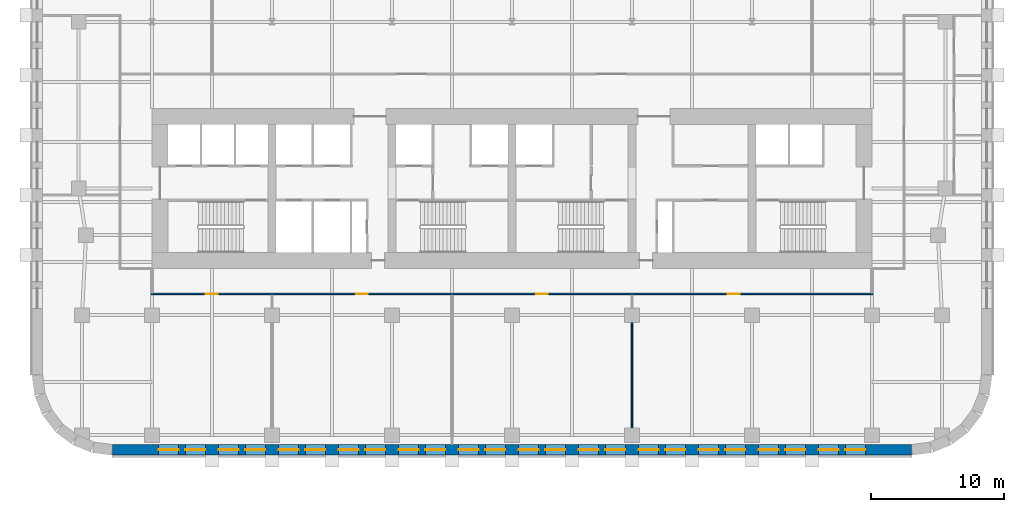
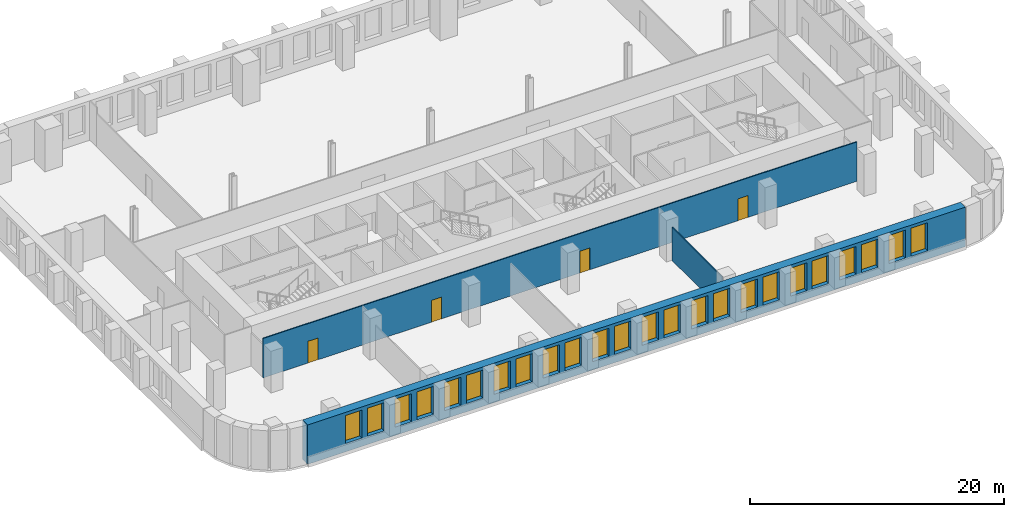
# One storey, part 5 of 11: 24 windows, 4 doors, 3 walls, 28 openings.
"""IFC4 building model written with IfcOpenShell, lengths in metres."""

from ifc_helpers import new_model, si_unit, direction, frame, frame_2d, origin, place, context, subcontext, project, spatial, rectangle, extrude, material, layer, layer_set, type_object, element, fill, save


model = new_model("IFC4")

# Units and contexts
model_context = context("Model", 3, precision=1e-05, world=origin(), true_north=direction((0.0, 1.0)))
body_context = subcontext(model_context, "Body", "Model", "MODEL_VIEW")
ifc_project = project(units=[si_unit("LENGTHUNIT", "METRE"), si_unit("AREAUNIT", "SQUARE_METRE"), si_unit("VOLUMEUNIT", "CUBIC_METRE"), si_unit("PLANEANGLEUNIT", "RADIAN"), si_unit("MASSUNIT", "GRAM", prefix="KILO")], contexts=[model_context])

# Site, building, storey
site_placement = place(None, origin())
site = spatial("IfcSite", under=ifc_project, at=site_placement, CompositionType="ELEMENT")
building_placement = place(site_placement, origin())
building = spatial("IfcBuilding", under=site, at=building_placement, Name="Zellij Exchange Tower", CompositionType="ELEMENT")
storey_placement = place(building_placement, frame((0.0, 0.0, 56.5)))
storey = spatial("IfcBuildingStorey", under=building, at=storey_placement, Name="L10", CompositionType="ELEMENT", Elevation=56.5)

# Wall, openings, windows
ifc_material_1 = material(Name="Precast concrete C40/50", Category="concrete")
ifc_layer_1 = layer(ifc_material_1, 0.800048828125)
ifc_layer_set_1 = layer_set([ifc_layer_1], Name="Precast concrete C40/50")
wall_type_1 = type_object("IfcWallType", Name="ENV-EW1 Precast stone-piered wall 800", PredefinedType="SOLIDWALL", material=ifc_layer_set_1)
wall_1_placement = place(storey_placement, frame((-29.947509765625, -27.60009765625, 0.0), z_axis=(0.0, 0.0, 1.0), x_axis=(1.0, 0.0, 0.0)))
wall_1 = element("IfcWall", 1, at=wall_1_placement, inside=storey, type_object=wall_type_1, Name="fac.L10.00", PredefinedType="SOLIDWALL", context=body_context, shape_type="SweptSolid", body=[
    extrude(rectangle(XDim=59.89501953125, YDim=0.800048828125, at=frame_2d((29.947509765625, 0.0))), origin(), (0.0, 0.0, 1.0), 3.800048828125),
])
opening_1_placement = place(wall_1_placement, frame((3.447509765625, 0.0, 0.800048828125)))
opening_1 = element("IfcOpeningElement", 2, at=opening_1_placement, cuts=wall_1, Name="Opening FZ1.01", PredefinedType="OPENING", context=body_context, shape_type="SweptSolid", body=[
    extrude(rectangle(XDim=1.5, YDim=2.699951171875, at=frame_2d((0.75, 1.35009765625))), frame((0.0, 0.412109375, 0.0), z_axis=(0.0, -1.0, 0.0), x_axis=(1.0, 0.0, 0.0)), (0.0, 0.0, 1.0), 0.823974609375),
])
opening_2_placement = place(wall_1_placement, frame((5.447509765625, 0.0, 0.800048828125)))
opening_2 = element("IfcOpeningElement", 3, at=opening_2_placement, cuts=wall_1, Name="Opening FZ1.02", PredefinedType="OPENING", context=body_context, shape_type="SweptSolid", body=[
    extrude(rectangle(XDim=1.5, YDim=2.699951171875, at=frame_2d((0.75, 1.35009765625))), frame((0.0, 0.412109375, 0.0), z_axis=(0.0, -1.0, 0.0), x_axis=(1.0, 0.0, 0.0)), (0.0, 0.0, 1.0), 0.823974609375),
])
opening_3_placement = place(wall_1_placement, frame((7.947509765625, 0.0, 0.800048828125)))
opening_3 = element("IfcOpeningElement", 4, at=opening_3_placement, cuts=wall_1, Name="Opening FZ1.03", PredefinedType="OPENING", context=body_context, shape_type="SweptSolid", body=[
    extrude(rectangle(XDim=1.5, YDim=2.699951171875, at=frame_2d((0.75, 1.35009765625))), frame((0.0, 0.412109375, 0.0), z_axis=(0.0, -1.0, 0.0), x_axis=(1.0, 0.0, 0.0)), (0.0, 0.0, 1.0), 0.823974609375),
])
opening_4_placement = place(wall_1_placement, frame((9.947509765625, 0.0, 0.800048828125)))
opening_4 = element("IfcOpeningElement", 5, at=opening_4_placement, cuts=wall_1, Name="Opening FZ1.04", PredefinedType="OPENING", context=body_context, shape_type="SweptSolid", body=[
    extrude(rectangle(XDim=1.5, YDim=2.699951171875, at=frame_2d((0.75, 1.35009765625))), frame((0.0, 0.412109375, 0.0), z_axis=(0.0, -1.0, 0.0), x_axis=(1.0, 0.0, 0.0)), (0.0, 0.0, 1.0), 0.823974609375),
])
opening_5_placement = place(wall_1_placement, frame((12.447509765625, 0.0, 0.800048828125)))
opening_5 = element("IfcOpeningElement", 6, at=opening_5_placement, cuts=wall_1, Name="Opening FZ1.05", PredefinedType="OPENING", context=body_context, shape_type="SweptSolid", body=[
    extrude(rectangle(XDim=1.5, YDim=2.699951171875, at=frame_2d((0.75, 1.35009765625))), frame((0.0, 0.412109375, 0.0), z_axis=(0.0, -1.0, 0.0), x_axis=(1.0, 0.0, 0.0)), (0.0, 0.0, 1.0), 0.823974609375),
])
opening_6_placement = place(wall_1_placement, frame((14.447509765625, 0.0, 0.800048828125)))
opening_6 = element("IfcOpeningElement", 7, at=opening_6_placement, cuts=wall_1, Name="Opening FZ1.06", PredefinedType="OPENING", context=body_context, shape_type="SweptSolid", body=[
    extrude(rectangle(XDim=1.5, YDim=2.699951171875, at=frame_2d((0.75, 1.35009765625))), frame((0.0, 0.412109375, 0.0), z_axis=(0.0, -1.0, 0.0), x_axis=(1.0, 0.0, 0.0)), (0.0, 0.0, 1.0), 0.823974609375),
])
opening_7_placement = place(wall_1_placement, frame((16.947509765625, 0.0, 0.800048828125)))
opening_7 = element("IfcOpeningElement", 8, at=opening_7_placement, cuts=wall_1, Name="Opening FZ1.07", PredefinedType="OPENING", context=body_context, shape_type="SweptSolid", body=[
    extrude(rectangle(XDim=1.5, YDim=2.699951171875, at=frame_2d((0.75, 1.35009765625))), frame((0.0, 0.412109375, 0.0), z_axis=(0.0, -1.0, 0.0), x_axis=(1.0, 0.0, 0.0)), (0.0, 0.0, 1.0), 0.823974609375),
])
opening_8_placement = place(wall_1_placement, frame((18.947509765625, 0.0, 0.800048828125)))
opening_8 = element("IfcOpeningElement", 9, at=opening_8_placement, cuts=wall_1, Name="Opening FZ1.08", PredefinedType="OPENING", context=body_context, shape_type="SweptSolid", body=[
    extrude(rectangle(XDim=1.5, YDim=2.699951171875, at=frame_2d((0.75, 1.35009765625))), frame((0.0, 0.412109375, 0.0), z_axis=(0.0, -1.0, 0.0), x_axis=(1.0, 0.0, 0.0)), (0.0, 0.0, 1.0), 0.823974609375),
])
opening_9_placement = place(wall_1_placement, frame((21.447509765625, 0.0, 0.800048828125)))
opening_9 = element("IfcOpeningElement", 10, at=opening_9_placement, cuts=wall_1, Name="Opening FZ1.09", PredefinedType="OPENING", context=body_context, shape_type="SweptSolid", body=[
    extrude(rectangle(XDim=1.5, YDim=2.699951171875, at=frame_2d((0.75, 1.35009765625))), frame((0.0, 0.412109375, 0.0), z_axis=(0.0, -1.0, 0.0), x_axis=(1.0, 0.0, 0.0)), (0.0, 0.0, 1.0), 0.823974609375),
])
opening_10_placement = place(wall_1_placement, frame((23.447509765625, 0.0, 0.800048828125)))
opening_10 = element("IfcOpeningElement", 11, at=opening_10_placement, cuts=wall_1, Name="Opening FZ1.10", PredefinedType="OPENING", context=body_context, shape_type="SweptSolid", body=[
    extrude(rectangle(XDim=1.5, YDim=2.699951171875, at=frame_2d((0.75, 1.35009765625))), frame((0.0, 0.412109375, 0.0), z_axis=(0.0, -1.0, 0.0), x_axis=(1.0, 0.0, 0.0)), (0.0, 0.0, 1.0), 0.823974609375),
])
opening_11_placement = place(wall_1_placement, frame((25.947509765625, 0.0, 0.800048828125)))
opening_11 = element("IfcOpeningElement", 12, at=opening_11_placement, cuts=wall_1, Name="Opening FZ1.11", PredefinedType="OPENING", context=body_context, shape_type="SweptSolid", body=[
    extrude(rectangle(XDim=1.5, YDim=2.699951171875, at=frame_2d((0.75, 1.35009765625))), frame((0.0, 0.412109375, 0.0), z_axis=(0.0, -1.0, 0.0), x_axis=(1.0, 0.0, 0.0)), (0.0, 0.0, 1.0), 0.823974609375),
])
opening_12_placement = place(wall_1_placement, frame((27.947509765625, 0.0, 0.800048828125)))
opening_12 = element("IfcOpeningElement", 13, at=opening_12_placement, cuts=wall_1, Name="Opening FZ1.12", PredefinedType="OPENING", context=body_context, shape_type="SweptSolid", body=[
    extrude(rectangle(XDim=1.5, YDim=2.699951171875, at=frame_2d((0.75, 1.35009765625))), frame((0.0, 0.412109375, 0.0), z_axis=(0.0, -1.0, 0.0), x_axis=(1.0, 0.0, 0.0)), (0.0, 0.0, 1.0), 0.823974609375),
])
opening_13_placement = place(wall_1_placement, frame((30.447509765625, 0.0, 0.800048828125)))
opening_13 = element("IfcOpeningElement", 14, at=opening_13_placement, cuts=wall_1, Name="Opening FZ1.13", PredefinedType="OPENING", context=body_context, shape_type="SweptSolid", body=[
    extrude(rectangle(XDim=1.5, YDim=2.699951171875, at=frame_2d((0.75, 1.35009765625))), frame((0.0, 0.412109375, 0.0), z_axis=(0.0, -1.0, 0.0), x_axis=(1.0, 0.0, 0.0)), (0.0, 0.0, 1.0), 0.823974609375),
])
opening_14_placement = place(wall_1_placement, frame((32.447509765625, 0.0, 0.800048828125)))
opening_14 = element("IfcOpeningElement", 15, at=opening_14_placement, cuts=wall_1, Name="Opening FZ1.14", PredefinedType="OPENING", context=body_context, shape_type="SweptSolid", body=[
    extrude(rectangle(XDim=1.5, YDim=2.699951171875, at=frame_2d((0.75, 1.35009765625))), frame((0.0, 0.412109375, 0.0), z_axis=(0.0, -1.0, 0.0), x_axis=(1.0, 0.0, 0.0)), (0.0, 0.0, 1.0), 0.823974609375),
])
opening_15_placement = place(wall_1_placement, frame((34.947509765625, 0.0, 0.800048828125)))
opening_15 = element("IfcOpeningElement", 16, at=opening_15_placement, cuts=wall_1, Name="Opening FZ1.15", PredefinedType="OPENING", context=body_context, shape_type="SweptSolid", body=[
    extrude(rectangle(XDim=1.5, YDim=2.699951171875, at=frame_2d((0.75, 1.35009765625))), frame((0.0, 0.412109375, 0.0), z_axis=(0.0, -1.0, 0.0), x_axis=(1.0, 0.0, 0.0)), (0.0, 0.0, 1.0), 0.823974609375),
])
opening_16_placement = place(wall_1_placement, frame((36.947509765625, 0.0, 0.800048828125)))
opening_16 = element("IfcOpeningElement", 17, at=opening_16_placement, cuts=wall_1, Name="Opening FZ1.16", PredefinedType="OPENING", context=body_context, shape_type="SweptSolid", body=[
    extrude(rectangle(XDim=1.5, YDim=2.699951171875, at=frame_2d((0.75, 1.35009765625))), frame((0.0, 0.412109375, 0.0), z_axis=(0.0, -1.0, 0.0), x_axis=(1.0, 0.0, 0.0)), (0.0, 0.0, 1.0), 0.823974609375),
])
opening_17_placement = place(wall_1_placement, frame((39.447509765625, 0.0, 0.800048828125)))
opening_17 = element("IfcOpeningElement", 18, at=opening_17_placement, cuts=wall_1, Name="Opening FZ1.17", PredefinedType="OPENING", context=body_context, shape_type="SweptSolid", body=[
    extrude(rectangle(XDim=1.5, YDim=2.699951171875, at=frame_2d((0.75, 1.35009765625))), frame((0.0, 0.412109375, 0.0), z_axis=(0.0, -1.0, 0.0), x_axis=(1.0, 0.0, 0.0)), (0.0, 0.0, 1.0), 0.823974609375),
])
opening_18_placement = place(wall_1_placement, frame((41.447509765625, 0.0, 0.800048828125)))
opening_18 = element("IfcOpeningElement", 19, at=opening_18_placement, cuts=wall_1, Name="Opening FZ1.18", PredefinedType="OPENING", context=body_context, shape_type="SweptSolid", body=[
    extrude(rectangle(XDim=1.5, YDim=2.699951171875, at=frame_2d((0.75, 1.35009765625))), frame((0.0, 0.412109375, 0.0), z_axis=(0.0, -1.0, 0.0), x_axis=(1.0, 0.0, 0.0)), (0.0, 0.0, 1.0), 0.823974609375),
])
opening_19_placement = place(wall_1_placement, frame((43.947509765625, 0.0, 0.800048828125)))
opening_19 = element("IfcOpeningElement", 20, at=opening_19_placement, cuts=wall_1, Name="Opening FZ1.19", PredefinedType="OPENING", context=body_context, shape_type="SweptSolid", body=[
    extrude(rectangle(XDim=1.5, YDim=2.699951171875, at=frame_2d((0.75, 1.35009765625))), frame((0.0, 0.412109375, 0.0), z_axis=(0.0, -1.0, 0.0), x_axis=(1.0, 0.0, 0.0)), (0.0, 0.0, 1.0), 0.823974609375),
])
opening_20_placement = place(wall_1_placement, frame((45.947509765625, 0.0, 0.800048828125)))
opening_20 = element("IfcOpeningElement", 21, at=opening_20_placement, cuts=wall_1, Name="Opening FZ1.20", PredefinedType="OPENING", context=body_context, shape_type="SweptSolid", body=[
    extrude(rectangle(XDim=1.5, YDim=2.699951171875, at=frame_2d((0.75, 1.35009765625))), frame((0.0, 0.412109375, 0.0), z_axis=(0.0, -1.0, 0.0), x_axis=(1.0, 0.0, 0.0)), (0.0, 0.0, 1.0), 0.823974609375),
])
opening_21_placement = place(wall_1_placement, frame((48.447509765625, 0.0, 0.800048828125)))
opening_21 = element("IfcOpeningElement", 22, at=opening_21_placement, cuts=wall_1, Name="Opening FZ1.21", PredefinedType="OPENING", context=body_context, shape_type="SweptSolid", body=[
    extrude(rectangle(XDim=1.5, YDim=2.699951171875, at=frame_2d((0.75, 1.35009765625))), frame((0.0, 0.412109375, 0.0), z_axis=(0.0, -1.0, 0.0), x_axis=(1.0, 0.0, 0.0)), (0.0, 0.0, 1.0), 0.823974609375),
])
opening_22_placement = place(wall_1_placement, frame((50.447509765625, 0.0, 0.800048828125)))
opening_22 = element("IfcOpeningElement", 23, at=opening_22_placement, cuts=wall_1, Name="Opening FZ1.22", PredefinedType="OPENING", context=body_context, shape_type="SweptSolid", body=[
    extrude(rectangle(XDim=1.5, YDim=2.699951171875, at=frame_2d((0.75, 1.35009765625))), frame((0.0, 0.412109375, 0.0), z_axis=(0.0, -1.0, 0.0), x_axis=(1.0, 0.0, 0.0)), (0.0, 0.0, 1.0), 0.823974609375),
])
opening_23_placement = place(wall_1_placement, frame((52.947509765625, 0.0, 0.800048828125)))
opening_23 = element("IfcOpeningElement", 24, at=opening_23_placement, cuts=wall_1, Name="Opening FZ1.23", PredefinedType="OPENING", context=body_context, shape_type="SweptSolid", body=[
    extrude(rectangle(XDim=1.5, YDim=2.699951171875, at=frame_2d((0.75, 1.35009765625))), frame((0.0, 0.412109375, 0.0), z_axis=(0.0, -1.0, 0.0), x_axis=(1.0, 0.0, 0.0)), (0.0, 0.0, 1.0), 0.823974609375),
])
opening_24_placement = place(wall_1_placement, frame((54.947509765625, 0.0, 0.800048828125)))
opening_24 = element("IfcOpeningElement", 25, at=opening_24_placement, cuts=wall_1, Name="Opening FZ1.24", PredefinedType="OPENING", context=body_context, shape_type="SweptSolid", body=[
    extrude(rectangle(XDim=1.5, YDim=2.699951171875, at=frame_2d((0.75, 1.35009765625))), frame((0.0, 0.412109375, 0.0), z_axis=(0.0, -1.0, 0.0), x_axis=(1.0, 0.0, 0.0)), (0.0, 0.0, 1.0), 0.823974609375),
])
ifc_material_2 = material(Name="Aluminium frame with insulating glass", Category="aluminium")
window_type = type_object("IfcWindowType", Name="ENV-W6 Window 1500x2700", PartitioningType="SINGLE_PANEL", PredefinedType="WINDOW", material=ifc_material_2)
window_1_placement = place(opening_1_placement, origin())
window_1 = element("IfcWindow", 26, at=window_1_placement, inside=storey, type_object=window_type, Name="Window FZ1.01", OverallHeight=2.699951171875, OverallWidth=1.5, PartitioningType="SINGLE_PANEL", PredefinedType="WINDOW", context=body_context, shape_type="SweptSolid", body=[
    extrude(rectangle(XDim=1.5, YDim=2.699951171875, at=frame_2d((0.75, 1.35009765625))), frame((0.0, 0.030029296875, 0.0), z_axis=(0.0, -1.0, 0.0), x_axis=(1.0, 0.0, 0.0)), (0.0, 0.0, 1.0), 0.06005859375),
])
fill(opening_1, window_1)
window_2_placement = place(opening_2_placement, origin())
window_2 = element("IfcWindow", 27, at=window_2_placement, inside=storey, type_object=window_type, Name="Window FZ1.02", OverallHeight=2.699951171875, OverallWidth=1.5, PartitioningType="SINGLE_PANEL", PredefinedType="WINDOW", context=body_context, shape_type="SweptSolid", body=[
    extrude(rectangle(XDim=1.5, YDim=2.699951171875, at=frame_2d((0.75, 1.35009765625))), frame((0.0, 0.030029296875, 0.0), z_axis=(0.0, -1.0, 0.0), x_axis=(1.0, 0.0, 0.0)), (0.0, 0.0, 1.0), 0.06005859375),
])
fill(opening_2, window_2)
window_3_placement = place(opening_3_placement, origin())
window_3 = element("IfcWindow", 28, at=window_3_placement, inside=storey, type_object=window_type, Name="Window FZ1.03", OverallHeight=2.699951171875, OverallWidth=1.5, PartitioningType="SINGLE_PANEL", PredefinedType="WINDOW", context=body_context, shape_type="SweptSolid", body=[
    extrude(rectangle(XDim=1.5, YDim=2.699951171875, at=frame_2d((0.75, 1.35009765625))), frame((0.0, 0.030029296875, 0.0), z_axis=(0.0, -1.0, 0.0), x_axis=(1.0, 0.0, 0.0)), (0.0, 0.0, 1.0), 0.06005859375),
])
fill(opening_3, window_3)
window_4_placement = place(opening_4_placement, origin())
window_4 = element("IfcWindow", 29, at=window_4_placement, inside=storey, type_object=window_type, Name="Window FZ1.04", OverallHeight=2.699951171875, OverallWidth=1.5, PartitioningType="SINGLE_PANEL", PredefinedType="WINDOW", context=body_context, shape_type="SweptSolid", body=[
    extrude(rectangle(XDim=1.5, YDim=2.699951171875, at=frame_2d((0.75, 1.35009765625))), frame((0.0, 0.030029296875, 0.0), z_axis=(0.0, -1.0, 0.0), x_axis=(1.0, 0.0, 0.0)), (0.0, 0.0, 1.0), 0.06005859375),
])
fill(opening_4, window_4)
window_5_placement = place(opening_5_placement, origin())
window_5 = element("IfcWindow", 30, at=window_5_placement, inside=storey, type_object=window_type, Name="Window FZ1.05", OverallHeight=2.699951171875, OverallWidth=1.5, PartitioningType="SINGLE_PANEL", PredefinedType="WINDOW", context=body_context, shape_type="SweptSolid", body=[
    extrude(rectangle(XDim=1.5, YDim=2.699951171875, at=frame_2d((0.75, 1.35009765625))), frame((0.0, 0.030029296875, 0.0), z_axis=(0.0, -1.0, 0.0), x_axis=(1.0, 0.0, 0.0)), (0.0, 0.0, 1.0), 0.06005859375),
])
fill(opening_5, window_5)
window_6_placement = place(opening_6_placement, origin())
window_6 = element("IfcWindow", 31, at=window_6_placement, inside=storey, type_object=window_type, Name="Window FZ1.06", OverallHeight=2.699951171875, OverallWidth=1.5, PartitioningType="SINGLE_PANEL", PredefinedType="WINDOW", context=body_context, shape_type="SweptSolid", body=[
    extrude(rectangle(XDim=1.5, YDim=2.699951171875, at=frame_2d((0.75, 1.35009765625))), frame((0.0, 0.030029296875, 0.0), z_axis=(0.0, -1.0, 0.0), x_axis=(1.0, 0.0, 0.0)), (0.0, 0.0, 1.0), 0.06005859375),
])
fill(opening_6, window_6)
window_7_placement = place(opening_7_placement, origin())
window_7 = element("IfcWindow", 32, at=window_7_placement, inside=storey, type_object=window_type, Name="Window FZ1.07", OverallHeight=2.699951171875, OverallWidth=1.5, PartitioningType="SINGLE_PANEL", PredefinedType="WINDOW", context=body_context, shape_type="SweptSolid", body=[
    extrude(rectangle(XDim=1.5, YDim=2.699951171875, at=frame_2d((0.75, 1.35009765625))), frame((0.0, 0.030029296875, 0.0), z_axis=(0.0, -1.0, 0.0), x_axis=(1.0, 0.0, 0.0)), (0.0, 0.0, 1.0), 0.06005859375),
])
fill(opening_7, window_7)
window_8_placement = place(opening_8_placement, origin())
window_8 = element("IfcWindow", 33, at=window_8_placement, inside=storey, type_object=window_type, Name="Window FZ1.08", OverallHeight=2.699951171875, OverallWidth=1.5, PartitioningType="SINGLE_PANEL", PredefinedType="WINDOW", context=body_context, shape_type="SweptSolid", body=[
    extrude(rectangle(XDim=1.5, YDim=2.699951171875, at=frame_2d((0.75, 1.35009765625))), frame((0.0, 0.030029296875, 0.0), z_axis=(0.0, -1.0, 0.0), x_axis=(1.0, 0.0, 0.0)), (0.0, 0.0, 1.0), 0.06005859375),
])
fill(opening_8, window_8)
window_9_placement = place(opening_9_placement, origin())
window_9 = element("IfcWindow", 34, at=window_9_placement, inside=storey, type_object=window_type, Name="Window FZ1.09", OverallHeight=2.699951171875, OverallWidth=1.5, PartitioningType="SINGLE_PANEL", PredefinedType="WINDOW", context=body_context, shape_type="SweptSolid", body=[
    extrude(rectangle(XDim=1.5, YDim=2.699951171875, at=frame_2d((0.75, 1.35009765625))), frame((0.0, 0.030029296875, 0.0), z_axis=(0.0, -1.0, 0.0), x_axis=(1.0, 0.0, 0.0)), (0.0, 0.0, 1.0), 0.06005859375),
])
fill(opening_9, window_9)
window_10_placement = place(opening_10_placement, origin())
window_10 = element("IfcWindow", 35, at=window_10_placement, inside=storey, type_object=window_type, Name="Window FZ1.10", OverallHeight=2.699951171875, OverallWidth=1.5, PartitioningType="SINGLE_PANEL", PredefinedType="WINDOW", context=body_context, shape_type="SweptSolid", body=[
    extrude(rectangle(XDim=1.5, YDim=2.699951171875, at=frame_2d((0.75, 1.35009765625))), frame((0.0, 0.030029296875, 0.0), z_axis=(0.0, -1.0, 0.0), x_axis=(1.0, 0.0, 0.0)), (0.0, 0.0, 1.0), 0.06005859375),
])
fill(opening_10, window_10)
window_11_placement = place(opening_11_placement, origin())
window_11 = element("IfcWindow", 36, at=window_11_placement, inside=storey, type_object=window_type, Name="Window FZ1.11", OverallHeight=2.699951171875, OverallWidth=1.5, PartitioningType="SINGLE_PANEL", PredefinedType="WINDOW", context=body_context, shape_type="SweptSolid", body=[
    extrude(rectangle(XDim=1.5, YDim=2.699951171875, at=frame_2d((0.75, 1.35009765625))), frame((0.0, 0.030029296875, 0.0), z_axis=(0.0, -1.0, 0.0), x_axis=(1.0, 0.0, 0.0)), (0.0, 0.0, 1.0), 0.06005859375),
])
fill(opening_11, window_11)
window_12_placement = place(opening_12_placement, origin())
window_12 = element("IfcWindow", 37, at=window_12_placement, inside=storey, type_object=window_type, Name="Window FZ1.12", OverallHeight=2.699951171875, OverallWidth=1.5, PartitioningType="SINGLE_PANEL", PredefinedType="WINDOW", context=body_context, shape_type="SweptSolid", body=[
    extrude(rectangle(XDim=1.5, YDim=2.699951171875, at=frame_2d((0.75, 1.35009765625))), frame((0.0, 0.030029296875, 0.0), z_axis=(0.0, -1.0, 0.0), x_axis=(1.0, 0.0, 0.0)), (0.0, 0.0, 1.0), 0.06005859375),
])
fill(opening_12, window_12)
window_13_placement = place(opening_13_placement, origin())
window_13 = element("IfcWindow", 38, at=window_13_placement, inside=storey, type_object=window_type, Name="Window FZ1.13", OverallHeight=2.699951171875, OverallWidth=1.5, PartitioningType="SINGLE_PANEL", PredefinedType="WINDOW", context=body_context, shape_type="SweptSolid", body=[
    extrude(rectangle(XDim=1.5, YDim=2.699951171875, at=frame_2d((0.75, 1.35009765625))), frame((0.0, 0.030029296875, 0.0), z_axis=(0.0, -1.0, 0.0), x_axis=(1.0, 0.0, 0.0)), (0.0, 0.0, 1.0), 0.06005859375),
])
fill(opening_13, window_13)
window_14_placement = place(opening_14_placement, origin())
window_14 = element("IfcWindow", 39, at=window_14_placement, inside=storey, type_object=window_type, Name="Window FZ1.14", OverallHeight=2.699951171875, OverallWidth=1.5, PartitioningType="SINGLE_PANEL", PredefinedType="WINDOW", context=body_context, shape_type="SweptSolid", body=[
    extrude(rectangle(XDim=1.5, YDim=2.699951171875, at=frame_2d((0.75, 1.35009765625))), frame((0.0, 0.030029296875, 0.0), z_axis=(0.0, -1.0, 0.0), x_axis=(1.0, 0.0, 0.0)), (0.0, 0.0, 1.0), 0.06005859375),
])
fill(opening_14, window_14)
window_15_placement = place(opening_15_placement, origin())
window_15 = element("IfcWindow", 40, at=window_15_placement, inside=storey, type_object=window_type, Name="Window FZ1.15", OverallHeight=2.699951171875, OverallWidth=1.5, PartitioningType="SINGLE_PANEL", PredefinedType="WINDOW", context=body_context, shape_type="SweptSolid", body=[
    extrude(rectangle(XDim=1.5, YDim=2.699951171875, at=frame_2d((0.75, 1.35009765625))), frame((0.0, 0.030029296875, 0.0), z_axis=(0.0, -1.0, 0.0), x_axis=(1.0, 0.0, 0.0)), (0.0, 0.0, 1.0), 0.06005859375),
])
fill(opening_15, window_15)
window_16_placement = place(opening_16_placement, origin())
window_16 = element("IfcWindow", 41, at=window_16_placement, inside=storey, type_object=window_type, Name="Window FZ1.16", OverallHeight=2.699951171875, OverallWidth=1.5, PartitioningType="SINGLE_PANEL", PredefinedType="WINDOW", context=body_context, shape_type="SweptSolid", body=[
    extrude(rectangle(XDim=1.5, YDim=2.699951171875, at=frame_2d((0.75, 1.35009765625))), frame((0.0, 0.030029296875, 0.0), z_axis=(0.0, -1.0, 0.0), x_axis=(1.0, 0.0, 0.0)), (0.0, 0.0, 1.0), 0.06005859375),
])
fill(opening_16, window_16)
window_17_placement = place(opening_17_placement, origin())
window_17 = element("IfcWindow", 42, at=window_17_placement, inside=storey, type_object=window_type, Name="Window FZ1.17", OverallHeight=2.699951171875, OverallWidth=1.5, PartitioningType="SINGLE_PANEL", PredefinedType="WINDOW", context=body_context, shape_type="SweptSolid", body=[
    extrude(rectangle(XDim=1.5, YDim=2.699951171875, at=frame_2d((0.75, 1.35009765625))), frame((0.0, 0.030029296875, 0.0), z_axis=(0.0, -1.0, 0.0), x_axis=(1.0, 0.0, 0.0)), (0.0, 0.0, 1.0), 0.06005859375),
])
fill(opening_17, window_17)
window_18_placement = place(opening_18_placement, origin())
window_18 = element("IfcWindow", 43, at=window_18_placement, inside=storey, type_object=window_type, Name="Window FZ1.18", OverallHeight=2.699951171875, OverallWidth=1.5, PartitioningType="SINGLE_PANEL", PredefinedType="WINDOW", context=body_context, shape_type="SweptSolid", body=[
    extrude(rectangle(XDim=1.5, YDim=2.699951171875, at=frame_2d((0.75, 1.35009765625))), frame((0.0, 0.030029296875, 0.0), z_axis=(0.0, -1.0, 0.0), x_axis=(1.0, 0.0, 0.0)), (0.0, 0.0, 1.0), 0.06005859375),
])
fill(opening_18, window_18)
window_19_placement = place(opening_19_placement, origin())
window_19 = element("IfcWindow", 44, at=window_19_placement, inside=storey, type_object=window_type, Name="Window FZ1.19", OverallHeight=2.699951171875, OverallWidth=1.5, PartitioningType="SINGLE_PANEL", PredefinedType="WINDOW", context=body_context, shape_type="SweptSolid", body=[
    extrude(rectangle(XDim=1.5, YDim=2.699951171875, at=frame_2d((0.75, 1.35009765625))), frame((0.0, 0.030029296875, 0.0), z_axis=(0.0, -1.0, 0.0), x_axis=(1.0, 0.0, 0.0)), (0.0, 0.0, 1.0), 0.06005859375),
])
fill(opening_19, window_19)
window_20_placement = place(opening_20_placement, origin())
window_20 = element("IfcWindow", 45, at=window_20_placement, inside=storey, type_object=window_type, Name="Window FZ1.20", OverallHeight=2.699951171875, OverallWidth=1.5, PartitioningType="SINGLE_PANEL", PredefinedType="WINDOW", context=body_context, shape_type="SweptSolid", body=[
    extrude(rectangle(XDim=1.5, YDim=2.699951171875, at=frame_2d((0.75, 1.35009765625))), frame((0.0, 0.030029296875, 0.0), z_axis=(0.0, -1.0, 0.0), x_axis=(1.0, 0.0, 0.0)), (0.0, 0.0, 1.0), 0.06005859375),
])
fill(opening_20, window_20)
window_21_placement = place(opening_21_placement, origin())
window_21 = element("IfcWindow", 46, at=window_21_placement, inside=storey, type_object=window_type, Name="Window FZ1.21", OverallHeight=2.699951171875, OverallWidth=1.5, PartitioningType="SINGLE_PANEL", PredefinedType="WINDOW", context=body_context, shape_type="SweptSolid", body=[
    extrude(rectangle(XDim=1.5, YDim=2.699951171875, at=frame_2d((0.75, 1.35009765625))), frame((0.0, 0.030029296875, 0.0), z_axis=(0.0, -1.0, 0.0), x_axis=(1.0, 0.0, 0.0)), (0.0, 0.0, 1.0), 0.06005859375),
])
fill(opening_21, window_21)
window_22_placement = place(opening_22_placement, origin())
window_22 = element("IfcWindow", 47, at=window_22_placement, inside=storey, type_object=window_type, Name="Window FZ1.22", OverallHeight=2.699951171875, OverallWidth=1.5, PartitioningType="SINGLE_PANEL", PredefinedType="WINDOW", context=body_context, shape_type="SweptSolid", body=[
    extrude(rectangle(XDim=1.5, YDim=2.699951171875, at=frame_2d((0.75, 1.35009765625))), frame((0.0, 0.030029296875, 0.0), z_axis=(0.0, -1.0, 0.0), x_axis=(1.0, 0.0, 0.0)), (0.0, 0.0, 1.0), 0.06005859375),
])
fill(opening_22, window_22)
window_23_placement = place(opening_23_placement, origin())
window_23 = element("IfcWindow", 48, at=window_23_placement, inside=storey, type_object=window_type, Name="Window FZ1.23", OverallHeight=2.699951171875, OverallWidth=1.5, PartitioningType="SINGLE_PANEL", PredefinedType="WINDOW", context=body_context, shape_type="SweptSolid", body=[
    extrude(rectangle(XDim=1.5, YDim=2.699951171875, at=frame_2d((0.75, 1.35009765625))), frame((0.0, 0.030029296875, 0.0), z_axis=(0.0, -1.0, 0.0), x_axis=(1.0, 0.0, 0.0)), (0.0, 0.0, 1.0), 0.06005859375),
])
fill(opening_23, window_23)
window_24_placement = place(opening_24_placement, origin())
window_24 = element("IfcWindow", 49, at=window_24_placement, inside=storey, type_object=window_type, Name="Window FZ1.24", OverallHeight=2.699951171875, OverallWidth=1.5, PartitioningType="SINGLE_PANEL", PredefinedType="WINDOW", context=body_context, shape_type="SweptSolid", body=[
    extrude(rectangle(XDim=1.5, YDim=2.699951171875, at=frame_2d((0.75, 1.35009765625))), frame((0.0, 0.030029296875, 0.0), z_axis=(0.0, -1.0, 0.0), x_axis=(1.0, 0.0, 0.0)), (0.0, 0.0, 1.0), 0.06005859375),
])
fill(opening_24, window_24)

# Wall
ifc_material_3 = material(Name="Gypsum board partition on steel studs", Category="steel")
ifc_layer_2 = layer(ifc_material_3, 0.10009765625)
ifc_layer_set_2 = layer_set([ifc_layer_2], Name="Gypsum board partition on steel studs")
wall_type_2 = type_object("IfcWallType", Name="FIT-PARTITION-100", PredefinedType="PARTITIONING", material=ifc_layer_set_2)
wall_2_placement = place(storey_placement, frame((9.0, -25.949951171875, 0.0), z_axis=(0.0, 0.0, 1.0), x_axis=(0.0, 1.0, 0.0)))
element("IfcWall", 50, at=wall_2_placement, inside=storey, type_object=wall_type_2, Name="FIT-PARTITION-100 005", PredefinedType="PARTITIONING", context=body_context, shape_type="SweptSolid", body=[
    extrude(rectangle(XDim=7.89990234375, YDim=0.10009765625, at=frame_2d((3.949951171875, 0.0))), origin(), (0.0, 0.0, 1.0), 3.18798828125),
])

# Wall, openings, doors
wall_3_placement = place(storey_placement, frame((-27.050048828125, -15.89990234375, 0.0), z_axis=(0.0, 0.0, 1.0), x_axis=(1.0, 0.0, 0.0)))
wall_3 = element("IfcWall", 51, at=wall_3_placement, inside=storey, type_object=wall_type_2, Name="FIT-PARTITION-100 007", PredefinedType="PARTITIONING", context=body_context, shape_type="SweptSolid", body=[
    extrude(rectangle(XDim=54.10009765625, YDim=0.10009765625, at=frame_2d((27.050048828125, 0.0))), origin(), (0.0, 0.0, 1.0), 3.800048828125),
])
opening_25_placement = place(wall_3_placement, frame((4.10009765625, 0.0, 0.0)))
opening_25 = element("IfcOpeningElement", 52, at=opening_25_placement, cuts=wall_3, Name="Opening TA.01", PredefinedType="OPENING", context=body_context, shape_type="SweptSolid", body=[
    extrude(rectangle(XDim=0.89990234375, YDim=2.10009765625, at=frame_2d((0.449951171875, 1.050048828125))), frame((0.0, 0.06201171875, 0.0), z_axis=(0.0, -1.0, 0.0), x_axis=(1.0, 0.0, 0.0)), (0.0, 0.0, 1.0), 0.1240234375),
])
opening_26_placement = place(wall_3_placement, frame((15.35009765625, 0.0, 0.0)))
opening_26 = element("IfcOpeningElement", 53, at=opening_26_placement, cuts=wall_3, Name="Opening TA.02", PredefinedType="OPENING", context=body_context, shape_type="SweptSolid", body=[
    extrude(rectangle(XDim=0.89990234375, YDim=2.10009765625, at=frame_2d((0.449951171875, 1.050048828125))), frame((0.0, 0.06201171875, 0.0), z_axis=(0.0, -1.0, 0.0), x_axis=(1.0, 0.0, 0.0)), (0.0, 0.0, 1.0), 0.1240234375),
])
opening_27_placement = place(wall_3_placement, frame((28.85009765625, 0.0, 0.0)))
opening_27 = element("IfcOpeningElement", 54, at=opening_27_placement, cuts=wall_3, Name="Opening TA.03", PredefinedType="OPENING", context=body_context, shape_type="SweptSolid", body=[
    extrude(rectangle(XDim=0.89990234375, YDim=2.10009765625, at=frame_2d((0.449951171875, 1.050048828125))), frame((0.0, 0.06201171875, 0.0), z_axis=(0.0, -1.0, 0.0), x_axis=(1.0, 0.0, 0.0)), (0.0, 0.0, 1.0), 0.1240234375),
])
opening_28_placement = place(wall_3_placement, frame((43.25, 0.0, 0.0)))
opening_28 = element("IfcOpeningElement", 55, at=opening_28_placement, cuts=wall_3, Name="Opening TA.04", PredefinedType="OPENING", context=body_context, shape_type="SweptSolid", body=[
    extrude(rectangle(XDim=0.89990234375, YDim=2.10009765625, at=frame_2d((0.449951171875, 1.050048828125))), frame((0.0, 0.06201171875, 0.0), z_axis=(0.0, -1.0, 0.0), x_axis=(1.0, 0.0, 0.0)), (0.0, 0.0, 1.0), 0.1240234375),
])
ifc_material_4 = material(Name="Timber door set", Category="wood")
door_type = type_object("IfcDoorType", Name="FIT-D1-ROOM-900X2100", OperationType="SINGLE_SWING_LEFT", PredefinedType="DOOR", material=ifc_material_4)
door_1_placement = place(opening_25_placement, origin())
door_1 = element("IfcDoor", 56, at=door_1_placement, inside=storey, type_object=door_type, Name="Door TA.01", OperationType="SINGLE_SWING_LEFT", OverallHeight=2.10009765625, OverallWidth=0.89990234375, PredefinedType="DOOR", context=body_context, shape_type="SweptSolid", body=[
    extrude(rectangle(XDim=0.89990234375, YDim=2.10009765625, at=frame_2d((0.449951171875, 1.050048828125))), frame((0.0, 0.02490234375, 0.0), z_axis=(0.0, -1.0, 0.0), x_axis=(1.0, 0.0, 0.0)), (0.0, 0.0, 1.0), 0.050048828125),
])
fill(opening_25, door_1)
door_2_placement = place(opening_26_placement, origin())
door_2 = element("IfcDoor", 57, at=door_2_placement, inside=storey, type_object=door_type, Name="Door TA.02", OperationType="SINGLE_SWING_LEFT", OverallHeight=2.10009765625, OverallWidth=0.89990234375, PredefinedType="DOOR", context=body_context, shape_type="SweptSolid", body=[
    extrude(rectangle(XDim=0.89990234375, YDim=2.10009765625, at=frame_2d((0.449951171875, 1.050048828125))), frame((0.0, 0.02490234375, 0.0), z_axis=(0.0, -1.0, 0.0), x_axis=(1.0, 0.0, 0.0)), (0.0, 0.0, 1.0), 0.050048828125),
])
fill(opening_26, door_2)
door_3_placement = place(opening_27_placement, origin())
door_3 = element("IfcDoor", 58, at=door_3_placement, inside=storey, type_object=door_type, Name="Door TA.03", OperationType="SINGLE_SWING_LEFT", OverallHeight=2.10009765625, OverallWidth=0.89990234375, PredefinedType="DOOR", context=body_context, shape_type="SweptSolid", body=[
    extrude(rectangle(XDim=0.89990234375, YDim=2.10009765625, at=frame_2d((0.449951171875, 1.050048828125))), frame((0.0, 0.02490234375, 0.0), z_axis=(0.0, -1.0, 0.0), x_axis=(1.0, 0.0, 0.0)), (0.0, 0.0, 1.0), 0.050048828125),
])
fill(opening_27, door_3)
door_4_placement = place(opening_28_placement, origin())
door_4 = element("IfcDoor", 59, at=door_4_placement, inside=storey, type_object=door_type, Name="Door TA.04", OperationType="SINGLE_SWING_LEFT", OverallHeight=2.10009765625, OverallWidth=0.89990234375, PredefinedType="DOOR", context=body_context, shape_type="SweptSolid", body=[
    extrude(rectangle(XDim=0.89990234375, YDim=2.10009765625, at=frame_2d((0.449951171875, 1.050048828125))), frame((0.0, 0.02490234375, 0.0), z_axis=(0.0, -1.0, 0.0), x_axis=(1.0, 0.0, 0.0)), (0.0, 0.0, 1.0), 0.050048828125),
])
fill(opening_28, door_4)

save(model, "model.ifc")
